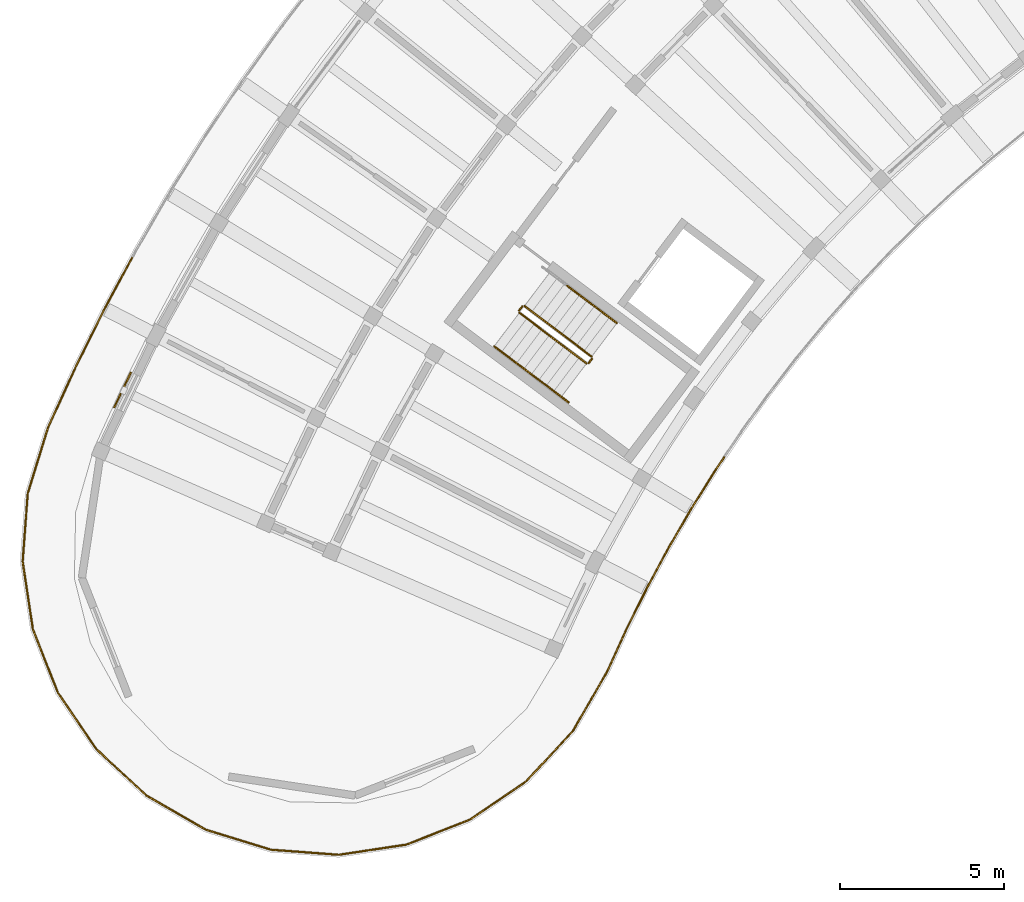
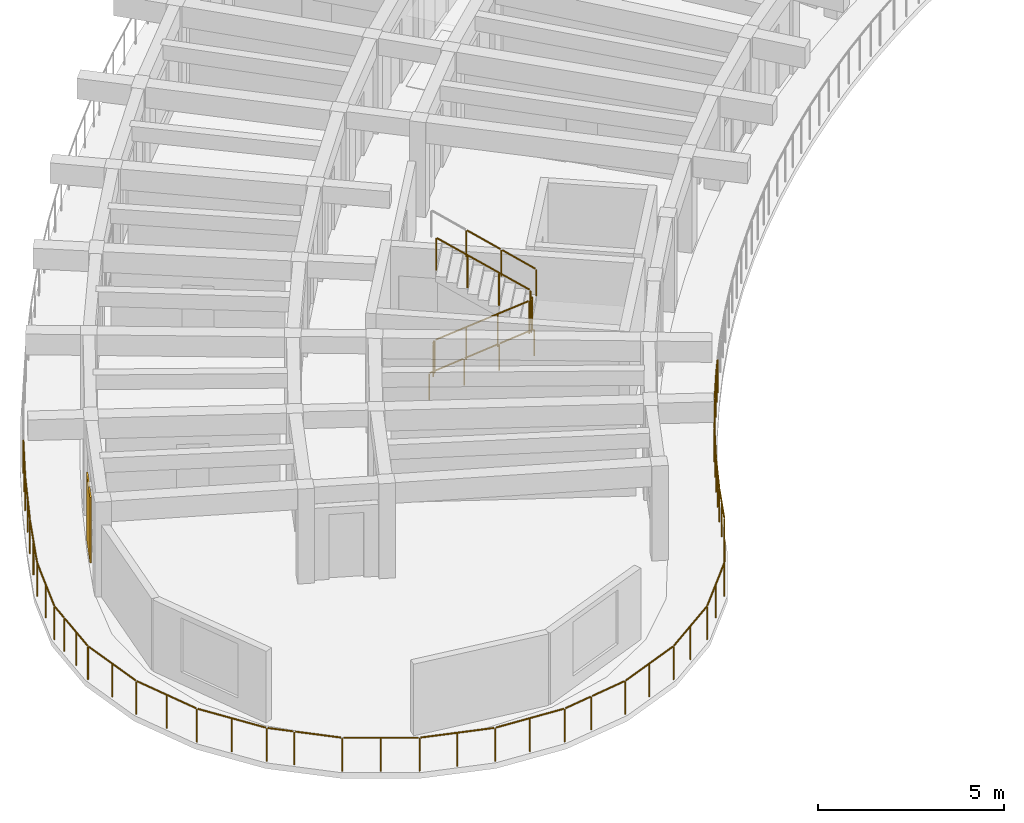
# One storey, part 27 of 32: 14 railings, 1 shading device.
"""IFC4 building model written with IfcOpenShell, lengths in metres."""

from ifc_helpers import new_model, si_unit, direction, frame, origin, origin_2d, place, context, subcontext, project, spatial, rectangle, circle, extrude, material, layer, layer_set, type_object, element, save


model = new_model("IFC4")

# Units and contexts
model_context = context("Model", 3, precision=1e-05, world=origin(), true_north=direction((0.0, 1.0)))
body_context = subcontext(model_context, "Body", "Model", "MODEL_VIEW")
ifc_project = project(units=[si_unit("LENGTHUNIT", "METRE"), si_unit("AREAUNIT", "SQUARE_METRE"), si_unit("VOLUMEUNIT", "CUBIC_METRE"), si_unit("PLANEANGLEUNIT", "RADIAN"), si_unit("MASSUNIT", "GRAM", prefix="KILO")], contexts=[model_context])

# Site, building, storey
site_placement = place(None, origin())
site = spatial("IfcSite", under=ifc_project, at=site_placement, CompositionType="ELEMENT")
building_placement = place(site_placement, origin())
building = spatial("IfcBuilding", under=site, at=building_placement, Name="Tanwirah Colonnade Gardens", CompositionType="ELEMENT")
storey_placement = place(building_placement, frame((0.0, 0.0, 42.43994140625)))
storey = spatial("IfcBuildingStorey", under=building, at=storey_placement, Name="L12", CompositionType="ELEMENT", Elevation=42.43994140625)

# Railings
ifc_material_1 = material(Name="Precast concrete C40/50", Category="concrete")
railing_type_1 = type_object("IfcRailingType", Name="BAL-EXT112", PredefinedType="BALUSTRADE", material=ifc_material_1)
railing_1_placement = place(storey_placement, frame((29.455322265625, 83.81640625, 0.0)))
element("IfcRailing", 1, at=railing_1_placement, inside=storey, type_object=railing_type_1, Name="Block A L12 Balcony Ribbon Balustrade 5", PredefinedType="BALUSTRADE", context=body_context, shape_type="SweptSolid", body=[
    extrude(circle(Radius=0.02392578125, at=origin_2d()), frame((-0.017333984375, -0.02587890625, 1.09619140625), z_axis=(-0.558231494408, -0.829685240709, 0.0), x_axis=(0.829685240709, -0.558231494408, 0.0)), (0.0, 0.0, 1.0), 0.383544921875),
    extrude(circle(Radius=0.02392578125, at=origin_2d()), frame((-0.26708984375, -0.39892578125, 1.09619140625), z_axis=(-0.530764445851, -0.847519382091, 0.0), x_axis=(0.847519382091, -0.530764445851, 0.0)), (0.0, 0.0, 1.0), 1.341796875),
    extrude(circle(Radius=0.02392578125, at=origin_2d()), frame((-1.012939453125, -1.591796875, 1.09619140625), z_axis=(-0.502378729104, -0.864647681165, 0.0), x_axis=(0.864647681165, -0.502378729104, 0.0)), (0.0, 0.0, 1.0), 1.342041015625),
    extrude(circle(Radius=0.02392578125, at=origin_2d()), frame((-1.718994140625, -2.808837890625, 1.09619140625), z_axis=(-0.473716211853, -0.880677552018, 0.0), x_axis=(0.880677552018, -0.473716211853, 0.0)), (0.0, 0.0, 1.0), 1.341796875),
    extrude(circle(Radius=0.02392578125, at=origin_2d()), frame((-2.384521484375, -4.04833984375, 1.09619140625), z_axis=(-0.444499692011, -0.895779003885, 0.0), x_axis=(0.895779003885, -0.444499692011, 0.0)), (0.0, 0.0, 1.0), 1.341796875),
    extrude(circle(Radius=0.02392578125, at=origin_2d()), frame((-3.009033203125, -5.309326171875, 1.09619140625), z_axis=(-0.414708968171, -0.909954104183, 0.0), x_axis=(0.909954104183, -0.414708968171, 0.0)), (0.0, 0.0, 1.0), 1.337890625),
    extrude(circle(Radius=0.02392578125, at=origin_2d()), frame((-3.592529296875, -6.582275390625, 1.09619140625), z_axis=(-0.499708674156, -0.866193535518, 0.0), x_axis=(0.866193535518, -0.499708674156, 0.0)), (0.0, 0.0, 1.0), 0.9599609375),
    extrude(circle(Radius=0.02099609375, at=origin_2d()), origin(), (0.0, 0.0, 1.0), 1.069091796875),
    extrude(circle(Radius=0.02099609375, at=origin_2d()), frame((-0.2490234375, -0.3701171875, 0.0)), (0.0, 0.0, 1.0), 1.069091796875),
    extrude(circle(Radius=0.02099609375, at=origin_2d()), frame((-0.623046875, -0.96728515625, 0.0)), (0.0, 0.0, 1.0), 1.069091796875),
    extrude(circle(Radius=0.02099609375, at=origin_2d()), frame((-0.995849609375, -1.5625, 0.0)), (0.0, 0.0, 1.0), 1.069091796875),
    extrude(circle(Radius=0.02099609375, at=origin_2d()), frame((-1.35009765625, -2.171875, 0.0)), (0.0, 0.0, 1.0), 1.069091796875),
    extrude(circle(Radius=0.02099609375, at=origin_2d()), frame((-1.702880859375, -2.779052734375, 0.0)), (0.0, 0.0, 1.0), 1.069091796875),
    extrude(circle(Radius=0.02099609375, at=origin_2d()), frame((-2.03662109375, -3.399658203125, 0.0)), (0.0, 0.0, 1.0), 1.069091796875),
    extrude(circle(Radius=0.02099609375, at=origin_2d()), frame((-2.369384765625, -4.01806640625, 0.0)), (0.0, 0.0, 1.0), 1.069091796875),
    extrude(circle(Radius=0.02099609375, at=origin_2d()), frame((-2.6826171875, -4.6494140625, 0.0)), (0.0, 0.0, 1.0), 1.069091796875),
    extrude(circle(Radius=0.02099609375, at=origin_2d()), frame((-2.994873046875, -5.2783203125, 0.0)), (0.0, 0.0, 1.0), 1.069091796875),
    extrude(circle(Radius=0.02099609375, at=origin_2d()), frame((-3.28662109375, -5.91796875, 0.0)), (0.0, 0.0, 1.0), 1.069091796875),
    extrude(circle(Radius=0.02099609375, at=origin_2d()), frame((-3.576904296875, -6.55517578125, 0.0)), (0.0, 0.0, 1.0), 1.069091796875),
    extrude(circle(Radius=0.02099609375, at=origin_2d()), frame((-4.087890625, -7.44091796875, 0.0)), (0.0, 0.0, 1.0), 1.069091796875),
])
railing_2_placement = place(storey_placement, frame((25.367431640625, 76.37548828125, 0.0)))
element("IfcRailing", 2, at=railing_2_placement, inside=storey, type_object=railing_type_1, Name="Block A L12 Balcony Ribbon Balustrade 6", PredefinedType="BALUSTRADE", context=body_context, shape_type="SweptSolid", body=[
    extrude(circle(Radius=0.02392578125, at=origin_2d()), frame((-0.015625, -0.027099609375, 1.09619140625), z_axis=(-0.499748805317, -0.866170382537, 0.0), x_axis=(0.866170382537, -0.499748805317, 0.0)), (0.0, 0.0, 1.0), 1.0068359375),
    extrude(circle(Radius=0.02392578125, at=origin_2d()), frame((-0.5556640625, -0.94921875, 1.09619140625), z_axis=(-0.679930414178, -0.733276640755, 0.0), x_axis=(0.733276640755, -0.679930414178, 0.0)), (0.0, 0.0, 1.0), 2.0244140625),
    extrude(circle(Radius=0.02392578125, at=origin_2d()), frame((-1.979248046875, -2.47412109375, 1.09619140625), z_axis=(-0.826118431278, -0.563496528386, 0.0), x_axis=(0.563496528386, -0.826118431278, 0.0)), (0.0, 0.0, 1.0), 2.0244140625),
    extrude(circle(Radius=0.02392578125, at=origin_2d()), frame((-3.70654296875, -3.64404296875, 1.09619140625), z_axis=(-0.930774243329, -0.365594458321, 0.0), x_axis=(0.365594458321, -0.930774243329, 0.0)), (0.0, 0.0, 1.0), 2.0244140625),
    extrude(circle(Radius=0.02392578125, at=origin_2d()), frame((-5.65087890625, -4.400146484375, 1.09619140625), z_axis=(-0.988773503468, -0.149422082837, 0.0), x_axis=(0.149422082837, -0.988773503468, 0.0)), (0.0, 0.0, 1.0), 1.107421875),
    extrude(circle(Radius=0.02099609375, at=origin_2d()), origin(), (0.0, 0.0, 1.0), 1.069091796875),
    extrude(circle(Radius=0.02099609375, at=origin_2d()), frame((-0.534423828125, -0.92626953125, 0.0)), (0.0, 0.0, 1.0), 1.069091796875),
    extrude(circle(Radius=0.02099609375, at=origin_2d()), frame((-1.243896484375, -1.69140625, 0.0)), (0.0, 0.0, 1.0), 1.069091796875),
    extrude(circle(Radius=0.02099609375, at=origin_2d()), frame((-1.953369140625, -2.45654296875, 0.0)), (0.0, 0.0, 1.0), 1.069091796875),
    extrude(circle(Radius=0.02099609375, at=origin_2d()), frame((-2.8154296875, -3.04443359375, 0.0)), (0.0, 0.0, 1.0), 1.069091796875),
    extrude(circle(Radius=0.02099609375, at=origin_2d()), frame((-3.677490234375, -3.632568359375, 0.0)), (0.0, 0.0, 1.0), 1.069091796875),
    extrude(circle(Radius=0.02099609375, at=origin_2d()), frame((-4.648681640625, -4.01416015625, 0.0)), (0.0, 0.0, 1.0), 1.069091796875),
    extrude(circle(Radius=0.02099609375, at=origin_2d()), frame((-5.619873046875, -4.3955078125, 0.0)), (0.0, 0.0, 1.0), 1.069091796875),
    extrude(circle(Radius=0.02099609375, at=origin_2d()), frame((-6.776611328125, -4.5703125, 0.0)), (0.0, 0.0, 1.0), 1.069091796875),
])
railing_3_placement = place(storey_placement, frame((18.5908203125, 71.80517578125, 0.0)))
element("IfcRailing", 3, at=railing_3_placement, inside=storey, type_object=railing_type_1, Name="Block A L12 Balcony Ribbon Balustrade 7", PredefinedType="BALUSTRADE", context=body_context, shape_type="SweptSolid", body=[
    extrude(circle(Radius=0.02392578125, at=origin_2d()), frame((-0.031005859375, -0.004638671875, 1.09619140625), z_axis=(-0.988783513302, -0.149355829554, 0.0), x_axis=(0.149355829554, -0.988783513302, 0.0)), (0.0, 0.0, 1.0), 0.8544921875),
    extrude(circle(Radius=0.02392578125, at=origin_2d()), frame((-0.93798828125, -0.134521484375, 1.09619140625), z_axis=(-0.997219341815, 0.074522374558, 0.0), x_axis=(-0.074522374558, -0.997219341815, 0.0)), (0.0, 0.0, 1.0), 2.0244140625),
    extrude(circle(Radius=0.02392578125, at=origin_2d()), frame((-3.017578125, 0.02783203125, 1.09619140625), z_axis=(-0.955665112144, 0.29445575802, 0.0), x_axis=(-0.29445575802, -0.955665112144, 0.0)), (0.0, 0.0, 1.0), 2.0244140625),
    extrude(circle(Radius=0.02392578125, at=origin_2d()), frame((-5.00927734375, 0.648681640625, 1.09619140625), z_axis=(-0.866162213927, 0.499762962979, 0.0), x_axis=(-0.499762962979, -0.866162213927, 0.0)), (0.0, 0.0, 1.0), 2.0244140625),
    extrude(circle(Radius=0.02392578125, at=origin_2d()), frame((-6.812744140625, 1.697265625, 1.09619140625), z_axis=(-0.733279871371, 0.679926930076, 0.0), x_axis=(-0.679926930076, -0.733279871371, 0.0)), (0.0, 0.0, 1.0), 1.260009765625),
    extrude(circle(Radius=0.02099609375, at=origin_2d()), origin(), (0.0, 0.0, 1.0), 1.069091796875),
    extrude(circle(Radius=0.02099609375, at=origin_2d()), frame((-0.90673828125, -0.136962890625, 0.0)), (0.0, 0.0, 1.0), 1.069091796875),
    extrude(circle(Radius=0.02099609375, at=origin_2d()), frame((-1.947265625, -0.05908203125, 0.0)), (0.0, 0.0, 1.0), 1.069091796875),
    extrude(circle(Radius=0.02099609375, at=origin_2d()), frame((-2.98779296875, 0.0185546875, 0.0)), (0.0, 0.0, 1.0), 1.069091796875),
    extrude(circle(Radius=0.02099609375, at=origin_2d()), frame((-3.98486328125, 0.32568359375, 0.0)), (0.0, 0.0, 1.0), 1.069091796875),
    extrude(circle(Radius=0.02099609375, at=origin_2d()), frame((-4.982177734375, 0.633056640625, 0.0)), (0.0, 0.0, 1.0), 1.069091796875),
    extrude(circle(Radius=0.02099609375, at=origin_2d()), frame((-5.885986328125, 1.154541015625, 0.0)), (0.0, 0.0, 1.0), 1.069091796875),
    extrude(circle(Radius=0.02099609375, at=origin_2d()), frame((-6.789794921875, 1.676025390625, 0.0)), (0.0, 0.0, 1.0), 1.069091796875),
    extrude(circle(Radius=0.02099609375, at=origin_2d()), frame((-7.759521484375, 2.5751953125, 0.0)), (0.0, 0.0, 1.0), 1.069091796875),
])
railing_4_placement = place(storey_placement, frame((10.831298828125, 74.38037109375, 0.0)))
element("IfcRailing", 4, at=railing_4_placement, inside=storey, type_object=railing_type_1, Name="Block A L12 Balcony Ribbon Balustrade 8", PredefinedType="BALUSTRADE", context=body_context, shape_type="SweptSolid", body=[
    extrude(circle(Radius=0.02392578125, at=origin_2d()), frame((-0.02294921875, 0.021240234375, 1.09619140625), z_axis=(-0.733271051928, 0.679936441444, 0.0), x_axis=(-0.679936441444, -0.733271051928, 0.0)), (0.0, 0.0, 1.0), 0.701904296875),
    extrude(circle(Radius=0.02392578125, at=origin_2d()), frame((-0.578125, 0.545654296875, 1.09619140625), z_axis=(-0.563496528386, 0.826118431278, 0.0), x_axis=(-0.826118431278, -0.563496528386, 0.0)), (0.0, 0.0, 1.0), 2.0244140625),
    extrude(circle(Radius=0.02392578125, at=origin_2d()), frame((-1.748046875, 2.27294921875, 1.09619140625), z_axis=(-0.365594458321, 0.930774243329, 0.0), x_axis=(-0.930774243329, -0.365594458321, 0.0)), (0.0, 0.0, 1.0), 2.0244140625),
    extrude(circle(Radius=0.02392578125, at=origin_2d()), frame((-2.504150390625, 4.21728515625, 1.09619140625), z_axis=(-0.149392969894, 0.988777902537, 0.0), x_axis=(-0.988777902537, -0.149392969894, 0.0)), (0.0, 0.0, 1.0), 2.0244140625),
    extrude(circle(Radius=0.02392578125, at=origin_2d()), frame((-2.808837890625, 6.281005859375, 1.09619140625), z_axis=(0.074493637123, 0.997221488952, 0.0), x_axis=(-0.997221488952, 0.074493637123, 0.0)), (0.0, 0.0, 1.0), 1.412353515625),
    extrude(circle(Radius=0.02099609375, at=origin_2d()), origin(), (0.0, 0.0, 1.0), 1.069091796875),
    extrude(circle(Radius=0.02099609375, at=origin_2d()), frame((-0.560546875, 0.519775390625, 0.0)), (0.0, 0.0, 1.0), 1.069091796875),
    extrude(circle(Radius=0.02099609375, at=origin_2d()), frame((-1.1484375, 1.3818359375, 0.0)), (0.0, 0.0, 1.0), 1.069091796875),
    extrude(circle(Radius=0.02099609375, at=origin_2d()), frame((-1.736572265625, 2.243896484375, 0.0)), (0.0, 0.0, 1.0), 1.069091796875),
    extrude(circle(Radius=0.02099609375, at=origin_2d()), frame((-2.1181640625, 3.215087890625, 0.0)), (0.0, 0.0, 1.0), 1.069091796875),
    extrude(circle(Radius=0.02099609375, at=origin_2d()), frame((-2.49951171875, 4.186279296875, 0.0)), (0.0, 0.0, 1.0), 1.069091796875),
    extrude(circle(Radius=0.02099609375, at=origin_2d()), frame((-2.6552734375, 5.218017578125, 0.0)), (0.0, 0.0, 1.0), 1.069091796875),
    extrude(circle(Radius=0.02099609375, at=origin_2d()), frame((-2.811279296875, 6.249755859375, 0.0)), (0.0, 0.0, 1.0), 1.069091796875),
    extrude(circle(Radius=0.02099609375, at=origin_2d()), frame((-2.75634765625, 6.985107421875, 0.0)), (0.0, 0.0, 1.0), 1.069091796875),
    extrude(circle(Radius=0.02099609375, at=origin_2d()), frame((-2.701416015625, 7.720458984375, 0.0)), (0.0, 0.0, 1.0), 1.069091796875),
])
railing_5_placement = place(storey_placement, frame((8.1298828125, 82.100830078125, 0.0)))
element("IfcRailing", 5, at=railing_5_placement, inside=storey, type_object=railing_type_1, Name="Block A L12 Balcony Ribbon Balustrade 9", PredefinedType="BALUSTRADE", context=body_context, shape_type="SweptSolid", body=[
    extrude(circle(Radius=0.02392578125, at=origin_2d()), frame((0.00244140625, 0.03125, 1.09619140625), z_axis=(0.07459161952, 0.99721416471, 0.0), x_axis=(-0.99721416471, 0.07459161952, 0.0)), (0.0, 0.0, 1.0), 0.549560546875),
    extrude(circle(Radius=0.02392578125, at=origin_2d()), frame((0.054931640625, 0.64013671875, 1.09619140625), z_axis=(0.294496097722, 0.955652681902, 0.0), x_axis=(-0.955652681902, 0.294496097722, 0.0)), (0.0, 0.0, 1.0), 2.0283203125),
    extrude(circle(Radius=0.02392578125, at=origin_2d()), frame((0.67431640625, 2.636962890625, 1.09619140625), z_axis=(0.414687086418, 0.909964076411, 0.0), x_axis=(-0.909964076411, 0.414687086418, 0.0)), (0.0, 0.0, 1.0), 1.955078125),
    extrude(circle(Radius=0.02392578125, at=origin_2d()), frame((1.511962890625, 4.472412109375, 1.09619140625), z_axis=(0.444409688214, 0.895823659557, 0.0), x_axis=(-0.895823659557, 0.444409688214, 0.0)), (0.0, 0.0, 1.0), 1.959228515625),
    extrude(circle(Radius=0.02392578125, at=origin_2d()), frame((2.411376953125, 6.282958984375, 1.09619140625), z_axis=(0.473735369625, 0.880667246788, 0.0), x_axis=(-0.880667246788, 0.473735369625, 0.0)), (0.0, 0.0, 1.0), 1.6953125),
    extrude(circle(Radius=0.02099609375, at=origin_2d()), origin(), (0.0, 0.0, 1.0), 1.069091796875),
    extrude(circle(Radius=0.02099609375, at=origin_2d()), frame((0.045654296875, 0.6103515625, 0.0)), (0.0, 0.0, 1.0), 1.069091796875),
    extrude(circle(Radius=0.02099609375, at=origin_2d()), frame((0.353515625, 1.609375, 0.0)), (0.0, 0.0, 1.0), 1.069091796875),
    extrude(circle(Radius=0.02099609375, at=origin_2d()), frame((0.661376953125, 2.6083984375, 0.0)), (0.0, 0.0, 1.0), 1.069091796875),
    extrude(circle(Radius=0.02099609375, at=origin_2d()), frame((1.07958984375, 3.5263671875, 0.0)), (0.0, 0.0, 1.0), 1.069091796875),
    extrude(circle(Radius=0.02099609375, at=origin_2d()), frame((1.498046875, 4.4443359375, 0.0)), (0.0, 0.0, 1.0), 1.069091796875),
    extrude(circle(Radius=0.02099609375, at=origin_2d()), frame((1.947265625, 5.349853515625, 0.0)), (0.0, 0.0, 1.0), 1.069091796875),
    extrude(circle(Radius=0.02099609375, at=origin_2d()), frame((2.396484375, 6.25537109375, 0.0)), (0.0, 0.0, 1.0), 1.069091796875),
    extrude(circle(Radius=0.02099609375, at=origin_2d()), frame((2.81298828125, 7.029296875, 0.0)), (0.0, 0.0, 1.0), 1.069091796875),
    extrude(circle(Radius=0.02099609375, at=origin_2d()), frame((3.229248046875, 7.803466796875, 0.0)), (0.0, 0.0, 1.0), 1.069091796875),
])
ifc_material_2 = material(Name="Powder-coated galvanized steel", Category="steel")
railing_type_2 = type_object("IfcRailingType", Name="GRD-ST110", PredefinedType="GUARDRAIL", material=ifc_material_2)
railing_6_placement = place(storey_placement, frame((23.201416015625, 88.22900390625, 0.16796875)))
element("IfcRailing", 6, at=railing_6_placement, inside=storey, type_object=railing_type_2, Name="L12 ST-A2 stair guard 1", PredefinedType="GUARDRAIL", context=body_context, shape_type="SweptSolid", body=[
    extrude(circle(Radius=0.02392578125, at=origin_2d()), frame((0.021484375, -0.01611328125, 1.092041015625), z_axis=(0.687983717237, -0.518427010379, 0.507850213868), x_axis=(0.601810650199, 0.798638805285, 0.0)), (0.0, 0.0, 1.0), 2.9150390625),
    extrude(circle(Radius=0.02099609375, at=origin_2d()), origin(), (0.0, 0.0, 1.0), 1.049072265625),
    extrude(circle(Radius=0.02099609375, at=origin_2d()), frame((0.682861328125, -0.5146484375, 0.504150390625)), (0.0, 0.0, 1.0), 1.049072265625),
    extrude(circle(Radius=0.02099609375, at=origin_2d()), frame((1.36572265625, -1.029052734375, 1.008056640625)), (0.0, 0.0, 1.0), 1.049072265625),
    extrude(circle(Radius=0.02099609375, at=origin_2d()), frame((2.048583984375, -1.543701171875, 1.51220703125)), (0.0, 0.0, 1.0), 1.049072265625),
])
railing_7_placement = place(storey_placement, frame((25.320068359375, 86.695068359375, 1.68017578125)))
element("IfcRailing", 7, at=railing_7_placement, inside=storey, type_object=railing_type_2, Name="L12 ST-A2 stair guard 2", PredefinedType="GUARDRAIL", context=body_context, shape_type="SweptSolid", body=[
    extrude(circle(Radius=0.02392578125, at=origin_2d()), frame((0.018798828125, 0.02490234375, 1.076171875), z_axis=(0.600975757569, 0.799267251183, 0.0), x_axis=(-0.799267251183, 0.600975757569, 0.0)), (0.0, 0.0, 1.0), 0.09765625),
    extrude(circle(Radius=0.02099609375, at=origin_2d()), origin(), (0.0, 0.0, 1.0), 1.049072265625),
    extrude(circle(Radius=0.02099609375, at=origin_2d()), frame((0.09619140625, 0.1279296875, 0.0)), (0.0, 0.0, 1.0), 1.049072265625),
])
railing_8_placement = place(storey_placement, frame((25.406494140625, 86.89306640625, 1.84814453125)))
element("IfcRailing", 8, at=railing_8_placement, inside=storey, type_object=railing_type_2, Name="L12 ST-A2 stair guard 3", PredefinedType="GUARDRAIL", context=body_context, shape_type="SweptSolid", body=[
    extrude(circle(Radius=0.02392578125, at=origin_2d()), frame((-0.021484375, 0.01611328125, 1.092041015625), z_axis=(-0.688041610417, 0.518388637952, 0.507810951414), x_axis=(-0.60174993816, -0.798684550949, 0.0)), (0.0, 0.0, 1.0), 2.914794921875),
    extrude(circle(Radius=0.02099609375, at=origin_2d()), origin(), (0.0, 0.0, 1.0), 1.049072265625),
    extrude(circle(Radius=0.02099609375, at=origin_2d()), frame((-0.682861328125, 0.514404296875, 0.50390625)), (0.0, 0.0, 1.0), 1.049072265625),
    extrude(circle(Radius=0.02099609375, at=origin_2d()), frame((-1.36572265625, 1.029052734375, 1.008056640625)), (0.0, 0.0, 1.0), 1.049072265625),
    extrude(circle(Radius=0.02099609375, at=origin_2d()), frame((-2.048583984375, 1.54345703125, 1.511962890625)), (0.0, 0.0, 1.0), 1.049072265625),
])
railing_9_placement = place(storey_placement, frame((23.191650390625, 88.299072265625, 0.0)))
element("IfcRailing", 9, at=railing_9_placement, inside=storey, type_object=railing_type_2, Name="L12 ST-A2 stair guard 4", PredefinedType="GUARDRAIL", context=body_context, shape_type="SweptSolid", body=[
    extrude(circle(Radius=0.02392578125, at=origin_2d()), frame((0.018798828125, 0.02490234375, 1.076171875), z_axis=(0.602681987584, 0.797981467104, 0.0), x_axis=(-0.797981467104, 0.602681987584, 0.0)), (0.0, 0.0, 1.0), 0.097412109375),
    extrude(circle(Radius=0.02099609375, at=origin_2d()), origin(), (0.0, 0.0, 1.0), 1.049072265625),
    extrude(circle(Radius=0.02099609375, at=origin_2d()), frame((0.096435546875, 0.127685546875, 0.0)), (0.0, 0.0, 1.0), 1.049072265625),
])
ifc_material_3 = material(Name="Brushed bronze stainless steel", Category="steel")
railing_type_3 = type_object("IfcRailingType", Name="HR-ST090", PredefinedType="HANDRAIL", material=ifc_material_3)
railing_10_placement = place(storey_placement, frame((22.43115234375, 87.206787109375, 0.16796875)))
element("IfcRailing", 10, at=railing_10_placement, inside=storey, type_object=railing_type_3, Name="L12 ST-A2 stair handrail 1", PredefinedType="HANDRAIL", context=body_context, shape_type="SweptSolid", body=[
    extrude(circle(Radius=0.02392578125, at=origin_2d()), frame((0.021484375, -0.01611328125, 0.891845703125), z_axis=(0.686067825084, -0.516979036791, 0.511901958292), x_axis=(0.601807485929, 0.798641189696, 0.0)), (0.0, 0.0, 1.0), 1.04345703125),
    extrude(circle(Radius=0.02099609375, at=origin_2d()), origin(), (0.0, 0.0, 1.0), 0.848876953125),
    extrude(circle(Radius=0.02099609375, at=origin_2d()), frame((0.7587890625, -0.57177734375, 0.566162109375)), (0.0, 0.0, 1.0), 0.848876953125),
])
railing_11_placement = place(storey_placement, frame((23.18994140625, 86.635009765625, 0.734130859375)))
element("IfcRailing", 11, at=railing_11_placement, inside=storey, type_object=railing_type_3, Name="L12 ST-A2 stair handrail 2", PredefinedType="HANDRAIL", context=body_context, shape_type="SweptSolid", body=[
    extrude(circle(Radius=0.02392578125, at=origin_2d()), frame((0.021484375, -0.01611328125, 0.891845703125), z_axis=(0.686145346169, -0.517037451972, 0.51173903231), x_axis=(0.601807485929, 0.798641189696, 0.0)), (0.0, 0.0, 1.0), 1.04345703125),
    extrude(circle(Radius=0.02099609375, at=origin_2d()), origin(), (0.0, 0.0, 1.0), 0.848876953125),
    extrude(circle(Radius=0.02099609375, at=origin_2d()), frame((0.7587890625, -0.57177734375, 0.56591796875)), (0.0, 0.0, 1.0), 0.848876953125),
])
railing_12_placement = place(storey_placement, frame((23.94873046875, 86.063232421875, 1.300048828125)))
element("IfcRailing", 12, at=railing_12_placement, inside=storey, type_object=railing_type_3, Name="L12 ST-A2 stair handrail 3", PredefinedType="HANDRAIL", context=body_context, shape_type="SweptSolid", body=[
    extrude(circle(Radius=0.02392578125, at=origin_2d()), frame((0.021484375, -0.01611328125, 0.891845703125), z_axis=(0.686028488458, -0.517115777267, 0.511816554955), x_axis=(0.601931007785, 0.798548096152, 0.0)), (0.0, 0.0, 1.0), 1.043212890625),
    extrude(circle(Radius=0.02099609375, at=origin_2d()), origin(), (0.0, 0.0, 1.0), 0.848876953125),
    extrude(circle(Radius=0.02099609375, at=origin_2d()), frame((0.758544921875, -0.57177734375, 0.56591796875)), (0.0, 0.0, 1.0), 0.848876953125),
])
railing_13_placement = place(storey_placement, frame((26.1767578125, 87.915283203125, 1.84814453125)))
element("IfcRailing", 13, at=railing_13_placement, inside=storey, type_object=railing_type_3, Name="L12 ST-A2 stair handrail 4", PredefinedType="HANDRAIL", context=body_context, shape_type="SweptSolid", body=[
    extrude(circle(Radius=0.02392578125, at=origin_2d()), frame((-0.021484375, 0.01611328125, 0.891845703125), z_axis=(-0.686028488458, 0.517115777267, 0.511816554955), x_axis=(-0.601931007785, -0.798548096152, 0.0)), (0.0, 0.0, 1.0), 1.043212890625),
    extrude(circle(Radius=0.02099609375, at=origin_2d()), origin(), (0.0, 0.0, 1.0), 0.848876953125),
    extrude(circle(Radius=0.02099609375, at=origin_2d()), frame((-0.758544921875, 0.57177734375, 0.56591796875)), (0.0, 0.0, 1.0), 0.848876953125),
])
railing_14_placement = place(storey_placement, frame((25.418212890625, 88.487060546875, 2.4140625)))
element("IfcRailing", 14, at=railing_14_placement, inside=storey, type_object=railing_type_3, Name="L12 ST-A2 stair handrail 5", PredefinedType="HANDRAIL", context=body_context, shape_type="SweptSolid", body=[
    extrude(circle(Radius=0.02392578125, at=origin_2d()), frame((-0.021484375, 0.01611328125, 0.891845703125), z_axis=(-0.686223662955, 0.51687567406, 0.51179744232), x_axis=(-0.601643549736, -0.798764695677, 0.0)), (0.0, 0.0, 1.0), 1.043212890625),
    extrude(circle(Radius=0.02099609375, at=origin_2d()), origin(), (0.0, 0.0, 1.0), 0.848876953125),
    extrude(circle(Radius=0.02099609375, at=origin_2d()), frame((-0.7587890625, 0.571533203125, 0.56591796875)), (0.0, 0.0, 1.0), 0.848876953125),
])

# Shading device
ifc_material_4 = material(Name="Perforated architectural bronze aluminium", Category="aluminium")
ifc_layer = layer(ifc_material_4, 0.044921875)
ifc_layer_set = layer_set([ifc_layer], Name="Perforated architectural bronze aluminium")
shading_device_type = type_object("IfcShadingDeviceType", Name="SHD-MSH1", PredefinedType="JALOUSIE", material=ifc_layer_set)
shading_device_placement = place(storey_placement, frame((11.074462890625, 85.87353515625, 0.0), z_axis=(0.0, 0.0, 1.0), x_axis=(-0.429635818333, -0.903002250056, 0.0)))
element("IfcShadingDevice", 15, at=shading_device_placement, inside=storey, type_object=shading_device_type, Name="Bronze mashrabiya solar screen A-L12-15", PredefinedType="JALOUSIE", context=body_context, shape_type="SweptSolid", body=[
    extrude(rectangle(XDim=1.199951171875, YDim=0.044921875, at=origin_2d()), origin(), (0.0, 0.0, 1.0), 2.159912109375),
])

save(model, "model.ifc")
